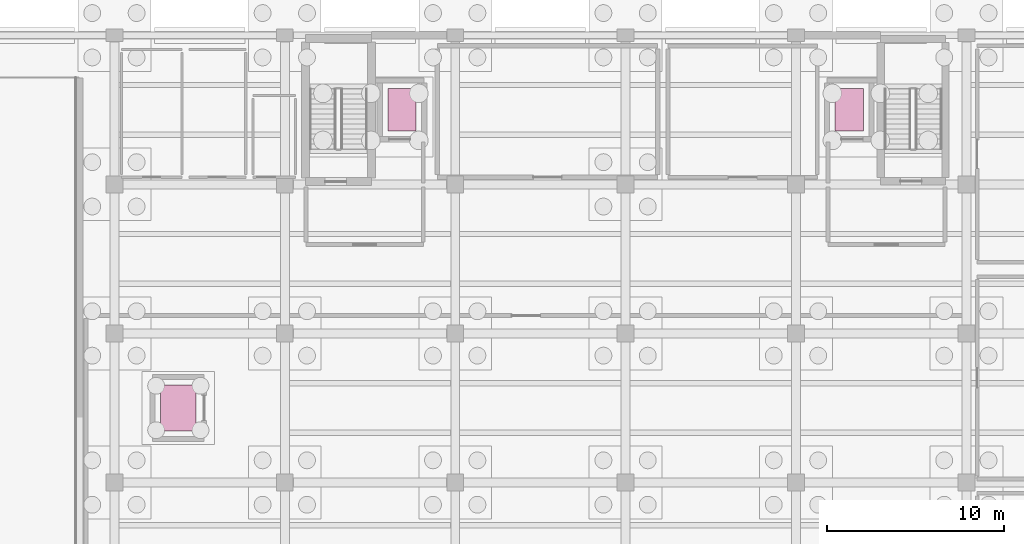
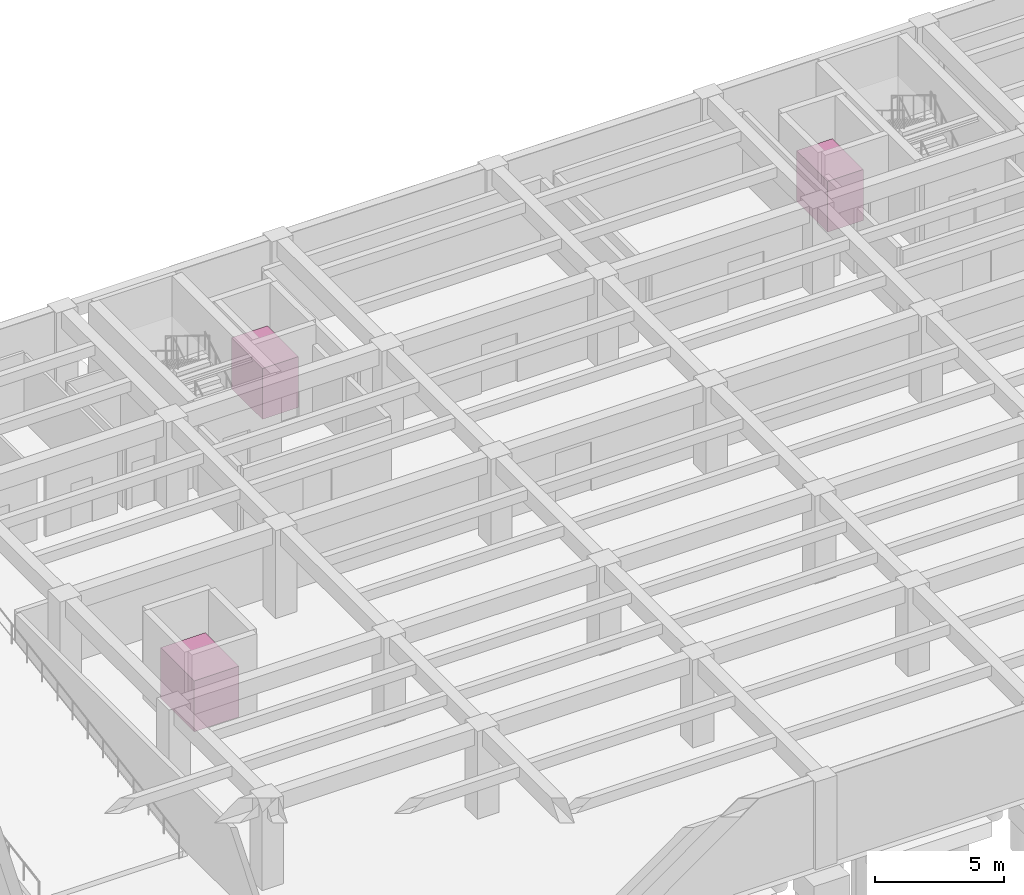
# One storey, part 8 of 8: 3 transport elements.
"""IFC4 building model written with IfcOpenShell, lengths in metres."""

import ifcopenshell
import ifcopenshell.guid

model = None  # the IFC model being written
_history = None  # IfcOwnerHistory: only IFC2X3 demands one
_inside = {}  # id of a spatial element -> (the spatial element, [elements in it])
_under = {}  # id of a project, library or spatial element -> (it, [spatial elements below it])
_declared = {}  # id of a project -> (the project, [libraries it declares])
_typed = {}  # id of a type object -> (the type object, [elements of that type])
_made_of = {}  # id of a material, layer set ... -> (it, [elements and type objects made of it])


def new_model(schema):
    """Start an empty IFC model of exactly this schema.

    Asked for "IFC4X3", IfcOpenShell would pick the latest addendum, in which some entities
    have other attributes; the version numbers below select the first issue.
    IFC2X3 requires an IfcOwnerHistory on every rooted entity: one is made here for all.
    """
    global model, _history
    if schema == "IFC4X3":
        model = ifcopenshell.file(schema_version=(4, 3, 0, 0))
    else:
        model = ifcopenshell.file(schema=schema)
    _inside.clear()
    _under.clear()
    _declared.clear()
    _typed.clear()
    _made_of.clear()
    _history = None
    if model.schema == "IFC2X3":
        org = make("IfcOrganization", Name="unknown")
        user = make(
            "IfcPersonAndOrganization",
            ThePerson=make("IfcPerson", FamilyName="unknown"),
            TheOrganization=org,
        )
        app = make(
            "IfcApplication",
            ApplicationDeveloper=org,
            Version="unknown",
            ApplicationFullName="unknown",
            ApplicationIdentifier="unknown",
        )
        _history = make(
            "IfcOwnerHistory",
            OwningUser=user,
            OwningApplication=app,
            ChangeAction="ADDED",
            CreationDate=0,
        )
    return model


def make(cls, **values):
    """One entity of the class cls with the attributes given. An attribute that is None is left unset."""
    return model.create_entity(
        cls, **{name: value for name, value in values.items() if value is not None}
    )


def rooted(cls, **values):
    """An entity with a GlobalId (a new one), such as an element, a storey or a relation."""
    return make(cls, GlobalId=ifcopenshell.guid.new(), OwnerHistory=_history, **values)


def si_unit(unit_type, name, prefix=None):
    """IfcSIUnit, for example si_unit("LENGTHUNIT", "METRE", prefix="MILLI")."""
    return make("IfcSIUnit", UnitType=unit_type, Prefix=prefix, Name=name)


def assignment(units):
    """IfcUnitAssignment: the units of a project."""
    return None if units is None else make("IfcUnitAssignment", Units=units)


def point(xyz):
    """IfcCartesianPoint."""
    return None if xyz is None else make("IfcCartesianPoint", Coordinates=xyz)


def direction(xyz):
    """IfcDirection."""
    return None if xyz is None else make("IfcDirection", DirectionRatios=xyz)


def frame(location, z_axis=None, x_axis=None):
    """IfcAxis2Placement3D, a coordinate frame: its origin and axes. An axis left out is left unset."""
    return make(
        "IfcAxis2Placement3D",
        Location=point(location),
        Axis=direction(z_axis),
        RefDirection=direction(x_axis),
    )


def frame_2d(location, x_axis=None):
    """IfcAxis2Placement2D, a coordinate frame in the plane: its origin and x axis."""
    return make(
        "IfcAxis2Placement2D", Location=point(location), RefDirection=direction(x_axis)
    )


def origin():
    """The frame at (0, 0, 0) with its axes left unset."""
    return frame((0.0, 0.0, 0.0))


def origin_2d():
    """The frame at (0, 0) in the plane with its x axis left unset."""
    return frame_2d((0.0, 0.0))


def place(relative_to, where):
    """IfcLocalPlacement: puts the frame where relative to a parent placement (None: the world)."""
    return make(
        "IfcLocalPlacement", PlacementRelTo=relative_to, RelativePlacement=where
    )


def context(
    kind, dimensions, precision=None, world=None, true_north=None, identifier=None
):
    """IfcGeometricRepresentationContext, for example the 3D "Model" context."""
    return make(
        "IfcGeometricRepresentationContext",
        ContextIdentifier=identifier,
        ContextType=kind,
        CoordinateSpaceDimension=dimensions,
        Precision=precision,
        WorldCoordinateSystem=world,
        TrueNorth=true_north,
    )


def subcontext(parent, identifier, kind, view, scale=None):
    """IfcGeometricRepresentationSubContext, for example "Body" below "Model"."""
    return make(
        "IfcGeometricRepresentationSubContext",
        ContextIdentifier=identifier,
        ContextType=kind,
        ParentContext=parent,
        TargetScale=scale,
        TargetView=view,
    )


def project(units=None, contexts=None):
    """IfcProject with its units and contexts."""
    return rooted(
        "IfcProject",
        Name="project",
        RepresentationContexts=contexts,
        UnitsInContext=assignment(units),
    )


def spatial(cls, under=None, at=None, **own):
    """A site, building, storey or space (cls), placed at a placement, below another one or the project."""
    s = rooted(cls, ObjectPlacement=at, **own)
    if under is not None:
        _under.setdefault(under.id(), (under, []))[1].append(s)
    return s


def profile(cls, at=None, kind="AREA", **sizes):
    """A parametric profile (cls). Its sizes go by their IFC names, for example OverallWidth=200.0."""
    return make(cls, ProfileType=kind, Position=at, **sizes)


def rectangle(**sizes):
    """IfcRectangleProfileDef."""
    return profile("IfcRectangleProfileDef", **sizes)


def extrude(swept, where, along, depth):
    """IfcExtrudedAreaSolid: the profile swept, set in the frame where, extruded along a direction by depth."""
    return make(
        "IfcExtrudedAreaSolid",
        SweptArea=swept,
        Position=where,
        ExtrudedDirection=direction(along),
        Depth=depth,
    )


def shape(context_of_items, identifier, shape_type, items):
    """IfcShapeRepresentation: the items that make up one representation, for example the "Body"."""
    return make(
        "IfcShapeRepresentation",
        ContextOfItems=context_of_items,
        RepresentationIdentifier=identifier,
        RepresentationType=shape_type,
        Items=items,
    )


def material(Name=None, Category=None):
    """IfcMaterial."""
    return make("IfcMaterial", Name=Name, Category=Category)


def made_of(thing, what):
    """Note that an element or type object is made of a material, layer set ...; save() writes the relation."""
    if what is not None:
        _made_of.setdefault(what.id(), (what, []))[1].append(thing)
    return thing


def type_object(cls, material=None, **own):
    """A type object (cls), such as IfcWallType, which elements share."""
    return made_of(rooted(cls, **own), material)


def element(
    cls,
    number,
    at=None,
    inside=None,
    cuts=None,
    type_object=None,
    material=None,
    context=None,
    identifier="Body",
    shape_type=None,
    held_by="IfcProductDefinitionShape",
    body=None,
    shapes=None,
    **own,
):
    """One element of the class cls, such as IfcWall. Its Tag is "e" and its number.

    at: its placement. inside: the storey or other place that contains it. cuts: it is an
    opening in that element (IfcRelVoidsElement). A single representation is given by context,
    identifier, shape_type and body (its items); several are given by shapes. held_by: the class
    of the entity that holds the representations. save() writes the other relations.
    """
    e = rooted(cls, Tag="e%d" % number, ObjectPlacement=at, **own)
    if body is not None:
        shapes = [shape(context, identifier, shape_type, body)]
    if shapes is not None:
        e.Representation = make(held_by, Representations=shapes)
    if inside is not None:
        _inside.setdefault(inside.id(), (inside, []))[1].append(e)
    if cuts is not None:
        rooted(
            "IfcRelVoidsElement", RelatingBuildingElement=cuts, RelatedOpeningElement=e
        )
    if type_object is not None:
        _typed.setdefault(type_object.id(), (type_object, []))[1].append(e)
    return made_of(e, material)


def aggregate(whole, parts):
    """IfcRelAggregates: a whole, such as a stair, and the parts it consists of."""
    return rooted("IfcRelAggregates", RelatingObject=whole, RelatedObjects=parts)


def save(model, path):
    """Write the relations noted so far, then the file.

    IfcRelAggregates (storeys below a building ...), IfcRelContainedInSpatialStructure (elements
    in a storey), IfcRelDefinesByType, IfcRelAssociatesMaterial and IfcRelDeclares: one each for
    every whole, place, type object, material and project.
    """
    for whole, parts in _under.values():
        aggregate(whole, parts)
    for where, things in _inside.values():
        rooted(
            "IfcRelContainedInSpatialStructure",
            RelatedElements=things,
            RelatingStructure=where,
        )
    for kind, things in _typed.values():
        rooted("IfcRelDefinesByType", RelatedObjects=things, RelatingType=kind)
    for what, things in _made_of.values():
        rooted("IfcRelAssociatesMaterial", RelatedObjects=things, RelatingMaterial=what)
    for by, libraries in _declared.values():
        rooted("IfcRelDeclares", RelatingContext=by, RelatedDefinitions=libraries)
    model.write(path)


model = new_model("IFC4")

# Units and contexts
model_context = context("Model", 3, precision=1e-05, world=origin(), true_north=direction((0.0, 1.0)))
body_context = subcontext(model_context, "Body", "Model", "MODEL_VIEW")
ifc_project = project(units=[si_unit("LENGTHUNIT", "METRE"), si_unit("AREAUNIT", "SQUARE_METRE"), si_unit("VOLUMEUNIT", "CUBIC_METRE"), si_unit("PLANEANGLEUNIT", "RADIAN"), si_unit("MASSUNIT", "GRAM", prefix="KILO")], contexts=[model_context])

# Site, building, storey
site_placement = place(None, origin())
site = spatial("IfcSite", under=ifc_project, at=site_placement, CompositionType="ELEMENT")
building_placement = place(site_placement, origin())
building = spatial("IfcBuilding", under=site, at=building_placement, Name="Bempovik Park Faculty of Sciences", CompositionType="ELEMENT")
storey_placement = place(building_placement, frame((0.0, 0.0, -4.5)))
storey = spatial("IfcBuildingStorey", under=building, at=storey_placement, Name="B1", CompositionType="ELEMENT", Elevation=-4.5)

# Transport elements
ifc_material = material(Name="Painted steel S355", Category="steel")
transport_element_type_1 = type_object("IfcTransportElementType", Name="LFT-FF Fire & Stretcher Lift 1600kg", PredefinedType="ELEVATOR", material=ifc_material)
for number, where, z_axis, x_axis, name in (
    (1, (76.199951171875, 115.199951171875, 0.0), (0.0, 0.0, 1.0), (1.0, 0.0, 0.0), "Lift LF-1 (Firefighting)"),
    (2, (101.39990234375, 115.199951171875, 0.0), (0.0, 0.0, 1.0), (1.0, 0.0, 0.0), "Lift LF-2 (Firefighting)"),
):
    element("IfcTransportElement", number, at=place(storey_placement, frame(where, z_axis=z_axis, x_axis=x_axis)), inside=storey, type_object=transport_element_type_1, Name=name, PredefinedType="ELEVATOR", context=body_context, shape_type="SweptSolid", body=[
        extrude(rectangle(XDim=1.60009765625, YDim=2.39990234375, at=origin_2d()), origin(), (0.0, 0.0, 1.0), 2.39990234375),
    ])
transport_element_type_2 = type_object("IfcTransportElementType", Name="LFT-GDS Laboratory Goods Lift 2500kg", PredefinedType="ELEVATOR", material=ifc_material)
transport_element_placement = place(storey_placement, frame((63.60009765625, 98.39990234375, 0.0), z_axis=(0.0, 0.0, 1.0), x_axis=(1.0, 0.0, 0.0)))
element("IfcTransportElement", 3, at=transport_element_placement, inside=storey, type_object=transport_element_type_2, Name="Lift LF-5 (Goods)", PredefinedType="ELEVATOR", context=body_context, shape_type="SweptSolid", body=[
    extrude(rectangle(XDim=2.0, YDim=2.60009765625, at=origin_2d()), origin(), (0.0, 0.0, 1.0), 2.39990234375),
])

save(model, "model.ifc")
